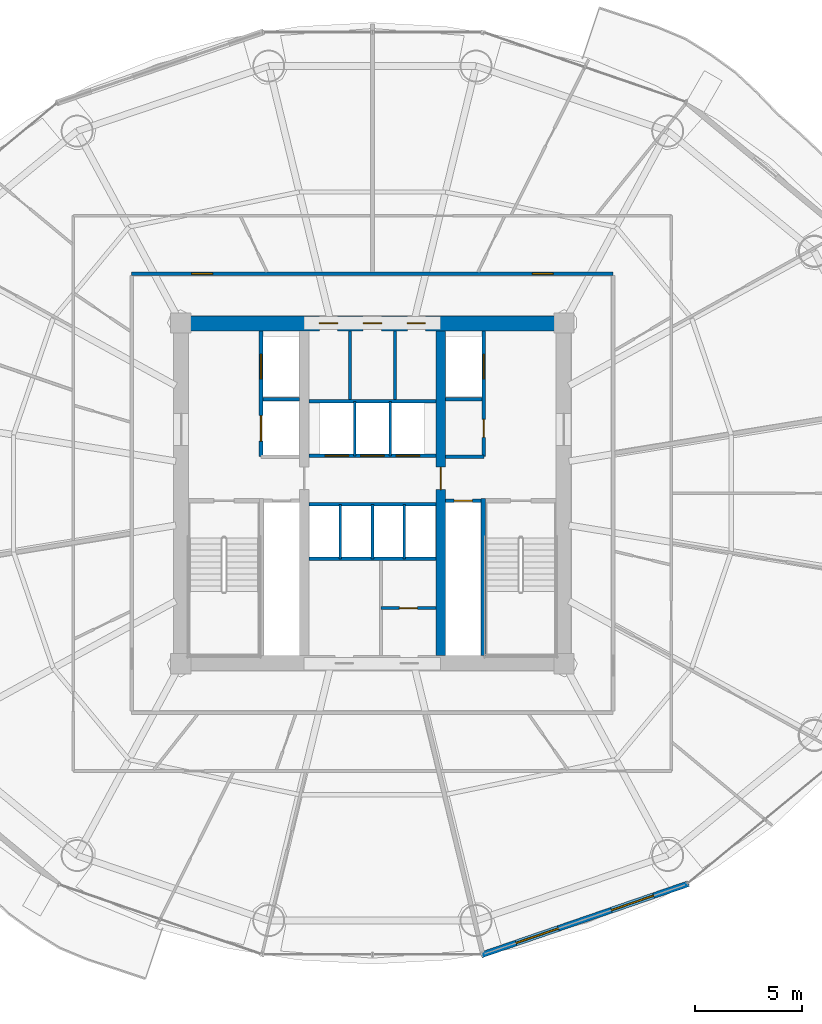
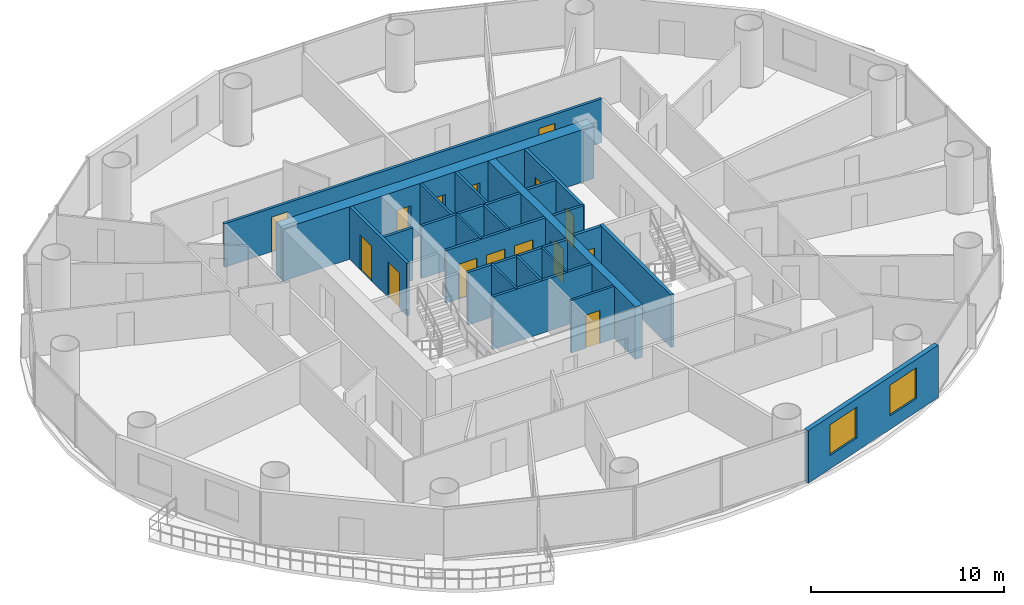
# One storey, part 23 of 29: 23 walls, 15 doors, 2 windows, 17 openings.
"""IFC4 building model written with IfcOpenShell, lengths in metres."""

from ifc_helpers import new_model, si_unit, direction, frame, frame_2d, origin, place, context, subcontext, project, spatial, rectangle, extrude, source, transform, mapped, material, layer, layer_set, type_object, element, fill, save


model = new_model("IFC4")

# Units and contexts
model_context = context("Model", 3, precision=1e-05, world=origin(), true_north=direction((-0.2419218956, 0.970295726276)))
body_context = subcontext(model_context, "Body", "Model", "MODEL_VIEW")
ifc_project = project(units=[si_unit("LENGTHUNIT", "METRE"), si_unit("AREAUNIT", "SQUARE_METRE"), si_unit("VOLUMEUNIT", "CUBIC_METRE"), si_unit("PLANEANGLEUNIT", "RADIAN"), si_unit("MASSUNIT", "GRAM", prefix="KILO")], contexts=[model_context])

# Site, building, storey
site_placement = place(None, origin())
site = spatial("IfcSite", under=ifc_project, at=site_placement, CompositionType="ELEMENT")
building_placement = place(site_placement, origin())
building = spatial("IfcBuilding", under=site, at=building_placement, Name="Cobrevalo Terracotta Tower", CompositionType="ELEMENT")
storey_placement = place(building_placement, frame((0.0, 0.0, 87.0)))
storey = spatial("IfcBuildingStorey", under=building, at=storey_placement, Name="L22", CompositionType="ELEMENT", Elevation=87.0)

# Wall, openings, doors
ifc_material_1 = material(Name="Concrete C60", Category="concrete")
ifc_layer_1 = layer(ifc_material_1, 0.699951171875)
ifc_layer_set_1 = layer_set([ifc_layer_1], Name="Concrete C60")
wall_type_1 = type_object("IfcWallType", Name="Core shear wall 700 mm Concrete C60", PredefinedType="SHEAR", material=ifc_layer_set_1)
wall_1_placement = place(storey_placement, frame((28.675048828125, 34.77490234375, 0.0), z_axis=(0.0, 0.0, 1.0), x_axis=(1.0, 0.0, 0.0)))
wall_1 = element("IfcWall", 1, at=wall_1_placement, inside=storey, type_object=wall_type_1, Name="L22 north core shear wall", PredefinedType="SHEAR", context=body_context, shape_type="SweptSolid", body=[
    extrude(rectangle(XDim=18.64990234375, YDim=0.699951171875, at=frame_2d((9.324951171875, 0.0))), origin(), (0.0, 0.0, 1.0), 3.324951171875),
])
opening_1_placement = place(wall_1_placement, frame((6.83740234375, 0.0, 0.0)))
opening_1 = element("IfcOpeningElement", 2, at=opening_1_placement, cuts=wall_1, Name="Opening ID-22", PredefinedType="OPENING", context=body_context, shape_type="SweptSolid", body=[
    extrude(rectangle(XDim=0.85009765625, YDim=2.10009765625, at=frame_2d((0.425048828125, 1.050048828125))), frame((0.0, 0.35986328125, 0.0), z_axis=(0.0, -1.0, 0.0), x_axis=(1.0, 0.0, 0.0)), (0.0, 0.0, 1.0), 0.719970703125),
])
opening_2_placement = place(wall_1_placement, frame((8.89501953125, 0.0, 0.0)))
opening_2 = element("IfcOpeningElement", 3, at=opening_2_placement, cuts=wall_1, Name="Opening ID-07", PredefinedType="OPENING", context=body_context, shape_type="SweptSolid", body=[
    extrude(rectangle(XDim=0.860107421875, YDim=2.10009765625, at=frame_2d((0.43017578125, 1.050048828125))), frame((0.0, 0.35986328125, 0.0), z_axis=(0.0, -1.0, 0.0), x_axis=(1.0, 0.0, 0.0)), (0.0, 0.0, 1.0), 0.719970703125),
])
opening_3_placement = place(wall_1_placement, frame((10.96240234375, 0.0, 0.0)))
opening_3 = element("IfcOpeningElement", 4, at=opening_3_placement, cuts=wall_1, Name="Opening ID-22", PredefinedType="OPENING", context=body_context, shape_type="SweptSolid", body=[
    extrude(rectangle(XDim=0.85009765625, YDim=2.10009765625, at=frame_2d((0.425048828125, 1.050048828125))), frame((0.0, 0.35986328125, 0.0), z_axis=(0.0, -1.0, 0.0), x_axis=(1.0, 0.0, 0.0)), (0.0, 0.0, 1.0), 0.719970703125),
])
ifc_material_2 = material(Name="Powder-coated steel", Category="steel")
door_type_1 = type_object("IfcDoorType", Name="Riser shaft & meter closet fire access door 850x2100 EI 60", OperationType="NOTDEFINED", PredefinedType="DOOR", material=ifc_material_2)
shared_shape_1 = source(origin(), body_context, "Body", "SweptSolid", [
    extrude(rectangle(XDim=0.85009765625, YDim=2.10009765625, at=frame_2d((0.425048828125, 1.050048828125))), frame((0.0, 0.02490234375, 0.0), z_axis=(0.0, -1.0, 0.0), x_axis=(1.0, 0.0, 0.0)), (0.0, 0.0, 1.0), 0.050048828125),
])
door_1_placement = place(opening_1_placement, frame((0.85009765625, 0.0, 0.0), z_axis=(0.0, 0.0, 1.0), x_axis=(-1.0, 0.0, 0.0)))
door_1 = element("IfcDoor", 5, at=door_1_placement, inside=storey, type_object=door_type_1, Name="L22 core north service door Housekeeping Linen Store", OperationType="SINGLE_SWING_LEFT", OverallHeight=2.10009765625, OverallWidth=0.85009765625, PredefinedType="DOOR", context=body_context, shape_type="MappedRepresentation", body=[
    mapped(shared_shape_1, transform((0.0, 0.0, 0.0), scale=1.0)),
])
fill(opening_1, door_1)
door_2_placement = place(opening_3_placement, frame((0.85009765625, 0.0, 0.0), z_axis=(0.0, 0.0, 1.0), x_axis=(-1.0, 0.0, 0.0)))
door_2 = element("IfcDoor", 6, at=door_2_placement, inside=storey, type_object=door_type_1, Name="L22 core north service door Floor BMS Mechanical Plant", OperationType="SINGLE_SWING_LEFT", OverallHeight=2.10009765625, OverallWidth=0.85009765625, PredefinedType="DOOR", context=body_context, shape_type="MappedRepresentation", body=[
    mapped(shared_shape_1, transform((0.0, 0.0, 0.0), scale=1.0)),
])
fill(opening_3, door_2)
ifc_material_3 = material(Name="Fire-rated moisture-sealed timber", Category="wood")
door_type_2 = type_object("IfcDoorType", Name="Core & podium fire-rated accessible WC door 860x2100 EI 60", OperationType="NOTDEFINED", PredefinedType="DOOR", material=ifc_material_3)
shared_shape_2 = source(origin(), body_context, "Body", "SweptSolid", [
    extrude(rectangle(XDim=0.860107421875, YDim=2.10009765625, at=frame_2d((0.43017578125, 1.050048828125))), frame((0.0, 0.02490234375, 0.0), z_axis=(0.0, -1.0, 0.0), x_axis=(1.0, 0.0, 0.0)), (0.0, 0.0, 1.0), 0.050048828125),
])
door_3_placement = place(opening_2_placement, frame((0.860107421875, 0.0, 0.0), z_axis=(0.0, 0.0, 1.0), x_axis=(-1.0, 0.0, 0.0)))
door_3 = element("IfcDoor", 7, at=door_3_placement, inside=storey, type_object=door_type_2, Name="L22 core north service door Floor Service Toilet WC", OperationType="SINGLE_SWING_RIGHT", OverallHeight=2.10009765625, OverallWidth=0.860107421875, PredefinedType="DOOR", context=body_context, shape_type="MappedRepresentation", body=[
    mapped(shared_shape_2, transform((0.0, 0.0, 0.0), scale=1.0)),
])
fill(opening_2, door_3)

# Walls
ifc_material_4 = material(Name="Gypsum board on steel stud", Category="steel")
ifc_layer_2 = layer(ifc_material_4, 0.159912109375)
ifc_layer_set_2 = layer_set([ifc_layer_2], Name="Gypsum board on steel stud")
wall_type_2 = type_object("IfcWallType", Name="Fire-rated corridor acoustic partition wall 160 mm", PredefinedType="PARTITIONING", material=ifc_layer_set_2)
for number, where, z_axis, x_axis, name in (
    (8, (32.860107421875, 31.219970703125, 0.0), (0.0, 0.0, 1.0), (1.0, 0.0, 0.0), "L22 interior partition IW-L22-FF1-M"),
    (9, (41.425048828125, 31.219970703125, 0.0), (0.0, 0.0, 1.0), (1.0, 0.0, 0.0), "L22 interior partition IW-L22-FF2-M"),
):
    element("IfcWall", number, at=place(storey_placement, frame(where, z_axis=z_axis, x_axis=x_axis)), inside=storey, type_object=wall_type_2, Name=name, PredefinedType="PARTITIONING", context=body_context, shape_type="SweptSolid", body=[
        extrude(rectangle(XDim=1.71484375, YDim=0.159912109375, at=frame_2d((0.857421875, 0.0))), origin(), (0.0, 0.0, 1.0), 3.324951171875),
    ])
wall_2_placement = place(storey_placement, frame((41.425048828125, 28.52001953125, 0.0), z_axis=(0.0, 0.0, 1.0), x_axis=(1.0, 0.0, 0.0)))
element("IfcWall", 10, at=wall_2_placement, inside=storey, type_object=wall_type_2, Name="L22 interior partition IW-L22-FF2-S", PredefinedType="PARTITIONING", context=body_context, shape_type="SweptSolid", body=[
    extrude(rectangle(XDim=1.804931640625, YDim=0.159912109375, at=frame_2d((0.90234375, 0.0))), origin(), (0.0, 0.0, 1.0), 3.324951171875),
])

# Wall, openings, doors
wall_3_placement = place(storey_placement, frame((35.02490234375, 28.56005859375, 0.0), z_axis=(0.0, 0.0, 1.0), x_axis=(1.0, 0.0, 0.0)))
wall_3 = element("IfcWall", 11, at=wall_3_placement, inside=storey, type_object=wall_type_2, Name="L22 interior partition IW-L22-LB-S", PredefinedType="PARTITIONING", context=body_context, shape_type="SweptSolid", body=[
    extrude(rectangle(XDim=5.9501953125, YDim=0.159912109375, at=frame_2d((2.97509765625, 0.0))), origin(), (0.0, 0.0, 1.0), 3.324951171875),
])
opening_4_placement = place(wall_3_placement, frame((0.760009765625, 0.0, 0.0)))
opening_4 = element("IfcOpeningElement", 12, at=opening_4_placement, cuts=wall_3, Name="Opening LD-01", PredefinedType="OPENING", context=body_context, shape_type="SweptSolid", body=[
    extrude(rectangle(XDim=1.10009765625, YDim=2.199951171875, at=frame_2d((0.550048828125, 1.10009765625))), frame((0.0, 0.08984375, 0.0), z_axis=(0.0, -1.0, 0.0), x_axis=(1.0, 0.0, 0.0)), (0.0, 0.0, 1.0), 0.179931640625),
])
opening_5_placement = place(wall_3_placement, frame((2.425048828125, 0.0, 0.0)))
opening_5 = element("IfcOpeningElement", 13, at=opening_5_placement, cuts=wall_3, Name="Opening LD-01", PredefinedType="OPENING", context=body_context, shape_type="SweptSolid", body=[
    extrude(rectangle(XDim=1.10009765625, YDim=2.199951171875, at=frame_2d((0.550048828125, 1.10009765625))), frame((0.0, 0.08984375, 0.0), z_axis=(0.0, -1.0, 0.0), x_axis=(1.0, 0.0, 0.0)), (0.0, 0.0, 1.0), 0.179931640625),
])
opening_6_placement = place(wall_3_placement, frame((4.090087890625, 0.0, 0.0)))
opening_6 = element("IfcOpeningElement", 14, at=opening_6_placement, cuts=wall_3, Name="Opening LD-01", PredefinedType="OPENING", context=body_context, shape_type="SweptSolid", body=[
    extrude(rectangle(XDim=1.10009765625, YDim=2.199951171875, at=frame_2d((0.550048828125, 1.10009765625))), frame((0.0, 0.08984375, 0.0), z_axis=(0.0, -1.0, 0.0), x_axis=(1.0, 0.0, 0.0)), (0.0, 0.0, 1.0), 0.179931640625),
])
ifc_material_5 = material(Name="Brushed stainless steel", Category="steel")
door_type_3 = type_object("IfcDoorType", Name="Passenger lift landing bi-parting sliding door 1100x2200 EI 90", OperationType="DOUBLE_DOOR_SLIDING", PredefinedType="DOOR", material=ifc_material_5)
shared_shape_3 = source(origin(), body_context, "Body", "SweptSolid", [
    extrude(rectangle(XDim=1.10009765625, YDim=2.199951171875, at=frame_2d((0.550048828125, 1.10009765625))), frame((0.0, 0.02490234375, 0.0), z_axis=(0.0, -1.0, 0.0), x_axis=(1.0, 0.0, 0.0)), (0.0, 0.0, 1.0), 0.050048828125),
])
door_4_placement = place(opening_4_placement, origin())
door_4 = element("IfcDoor", 15, at=door_4_placement, inside=storey, type_object=door_type_3, Name="L22 lift landing door PL-L1", OperationType="DOUBLE_DOOR_SLIDING", OverallHeight=2.199951171875, OverallWidth=1.10009765625, PredefinedType="DOOR", context=body_context, shape_type="MappedRepresentation", body=[
    mapped(shared_shape_3, transform((0.0, 0.0, 0.0), scale=1.0)),
])
fill(opening_4, door_4)
door_5_placement = place(opening_5_placement, origin())
door_5 = element("IfcDoor", 16, at=door_5_placement, inside=storey, type_object=door_type_3, Name="L22 lift landing door PL-L2", OperationType="DOUBLE_DOOR_SLIDING", OverallHeight=2.199951171875, OverallWidth=1.10009765625, PredefinedType="DOOR", context=body_context, shape_type="MappedRepresentation", body=[
    mapped(shared_shape_3, transform((0.0, 0.0, 0.0), scale=1.0)),
])
fill(opening_5, door_5)
door_6_placement = place(opening_6_placement, origin())
door_6 = element("IfcDoor", 17, at=door_6_placement, inside=storey, type_object=door_type_3, Name="L22 lift landing door PL-L3", OperationType="DOUBLE_DOOR_SLIDING", OverallHeight=2.199951171875, OverallWidth=1.10009765625, PredefinedType="DOOR", context=body_context, shape_type="MappedRepresentation", body=[
    mapped(shared_shape_3, transform((0.0, 0.0, 0.0), scale=1.0)),
])
fill(opening_6, door_6)

# Walls
for number, where, z_axis, x_axis, name in (
    (18, (35.02490234375, 31.1201171875, 0.0), (0.0, 0.0, 1.0), (1.0, 0.0, 0.0), "L22 interior partition IW-L22-LB-N"),
    (19, (35.02490234375, 26.280029296875, 0.0), (0.0, 0.0, 1.0), (1.0, 0.0, 0.0), "L22 interior partition IW-L22-MB-N"),
    (20, (35.02490234375, 23.719970703125, 0.0), (0.0, 0.0, 1.0), (1.0, 0.0, 0.0), "L22 interior partition IW-L22-MB-S"),
):
    element("IfcWall", number, at=place(storey_placement, frame(where, z_axis=z_axis, x_axis=x_axis)), inside=storey, type_object=wall_type_2, Name=name, PredefinedType="PARTITIONING", context=body_context, shape_type="SweptSolid", body=[
        extrude(rectangle(XDim=5.9501953125, YDim=0.159912109375, at=frame_2d((2.97509765625, 0.0))), origin(), (0.0, 0.0, 1.0), 3.324951171875),
    ])

# Wall, openings, doors
wall_4_placement = place(storey_placement, frame((26.695068359375, 37.10498046875, 0.0), z_axis=(0.0, 0.0, 1.0), x_axis=(1.0, 0.0, 0.0)))
wall_4 = element("IfcWall", 21, at=wall_4_placement, inside=storey, type_object=wall_type_2, Name="L22 interior partition IW-L22-COR-N", PredefinedType="PARTITIONING", context=body_context, shape_type="SweptSolid", body=[
    extrude(rectangle(XDim=22.60986328125, YDim=0.159912109375, at=frame_2d((11.304931640625, 0.0))), origin(), (0.0, 0.0, 1.0), 2.76708984375),
])
opening_7_placement = place(wall_4_placement, frame((18.8115234375, 0.0, 0.0)))
opening_7 = element("IfcOpeningElement", 22, at=opening_7_placement, cuts=wall_4, Name="Opening ID-05", PredefinedType="OPENING", context=body_context, shape_type="SweptSolid", body=[
    extrude(rectangle(XDim=0.97998046875, YDim=2.199951171875, at=frame_2d((0.489990234375, 1.10009765625))), frame((0.0, 0.08984375, 0.0), z_axis=(0.0, -1.0, 0.0), x_axis=(1.0, 0.0, 0.0)), (0.0, 0.0, 1.0), 0.179931640625),
])
opening_8_placement = place(wall_4_placement, frame((2.8232421875, 0.0, 0.0)))
opening_8 = element("IfcOpeningElement", 23, at=opening_8_placement, cuts=wall_4, Name="Opening ID-05", PredefinedType="OPENING", context=body_context, shape_type="SweptSolid", body=[
    extrude(rectangle(XDim=0.97998046875, YDim=2.199951171875, at=frame_2d((0.489990234375, 1.10009765625))), frame((0.0, 0.08984375, 0.0), z_axis=(0.0, -1.0, 0.0), x_axis=(1.0, 0.0, 0.0)), (0.0, 0.0, 1.0), 0.179931640625),
])
ifc_material_6 = material(Name="Solid hardwood timber", Category="wood")
door_type_4 = type_object("IfcDoorType", Name="Residence entrance fire-rated acoustic timber door 980x2200 EI 60", OperationType="NOTDEFINED", PredefinedType="DOOR", material=ifc_material_6)
shared_shape_4 = source(origin(), body_context, "Body", "SweptSolid", [
    extrude(rectangle(XDim=0.97998046875, YDim=2.199951171875, at=frame_2d((0.489990234375, 1.10009765625))), frame((0.0, 0.02490234375, 0.0), z_axis=(0.0, -1.0, 0.0), x_axis=(1.0, 0.0, 0.0)), (0.0, 0.0, 1.0), 0.050048828125),
])
door_7_placement = place(opening_7_placement, frame((0.97998046875, 0.0, 0.0), z_axis=(0.0, 0.0, 1.0), x_axis=(-1.0, 0.0, 0.0)))
door_7 = element("IfcDoor", 24, at=door_7_placement, inside=storey, type_object=door_type_4, Name="Flat L22A fire-rated apartment entrance door", OperationType="SINGLE_SWING_RIGHT", OverallHeight=2.199951171875, OverallWidth=0.97998046875, PredefinedType="DOOR", context=body_context, shape_type="MappedRepresentation", body=[
    mapped(shared_shape_4, transform((0.0, 0.0, 0.0), scale=1.0)),
])
fill(opening_7, door_7)
door_8_placement = place(opening_8_placement, frame((0.97998046875, 0.0, 0.0), z_axis=(0.0, 0.0, 1.0), x_axis=(-1.0, 0.0, 0.0)))
door_8 = element("IfcDoor", 25, at=door_8_placement, inside=storey, type_object=door_type_4, Name="Flat L22B fire-rated apartment entrance door", OperationType="SINGLE_SWING_LEFT", OverallHeight=2.199951171875, OverallWidth=0.97998046875, PredefinedType="DOOR", context=body_context, shape_type="MappedRepresentation", body=[
    mapped(shared_shape_4, transform((0.0, 0.0, 0.0), scale=1.0)),
])
fill(opening_8, door_8)

# Wall, opening, door
ifc_layer_3 = layer(ifc_material_4, 0.179931640625)
ifc_layer_set_3 = layer_set([ifc_layer_3], Name="Gypsum board on steel stud")
wall_type_3 = type_object("IfcWallType", Name="Fire-rated shaft & lobby acoustic partition wall 180 mm", PredefinedType="PARTITIONING", material=ifc_layer_set_3)
wall_5_placement = place(storey_placement, frame((41.425048828125, 26.449951171875, 0.0), z_axis=(0.0, 0.0, 1.0), x_axis=(1.0, 0.0, 0.0)))
wall_5 = element("IfcWall", 26, at=wall_5_placement, inside=storey, type_object=wall_type_3, Name="L22 interior partition IW-L22-RSE-N", PredefinedType="PARTITIONING", context=body_context, shape_type="SweptSolid", body=[
    extrude(rectangle(XDim=1.675048828125, YDim=0.179931640625, at=frame_2d((0.83740234375, 0.0))), origin(), (0.0, 0.0, 1.0), 3.324951171875),
])
opening_9_placement = place(wall_5_placement, frame((0.41259765625, 0.0, 0.0)))
opening_9 = element("IfcOpeningElement", 27, at=opening_9_placement, cuts=wall_5, Name="Opening ID-22", PredefinedType="OPENING", context=body_context, shape_type="SweptSolid", body=[
    extrude(rectangle(XDim=0.85009765625, YDim=2.10009765625, at=frame_2d((0.425048828125, 1.050048828125))), frame((0.0, 0.10009765625, 0.0), z_axis=(0.0, -1.0, 0.0), x_axis=(1.0, 0.0, 0.0)), (0.0, 0.0, 1.0), 0.199951171875),
])
door_9_placement = place(opening_9_placement, origin())
door_9 = element("IfcDoor", 28, at=door_9_placement, inside=storey, type_object=door_type_1, Name="L22 riser access door RSE", OperationType="SINGLE_SWING_RIGHT", OverallHeight=2.10009765625, OverallWidth=0.85009765625, PredefinedType="DOOR", context=body_context, shape_type="MappedRepresentation", body=[
    mapped(shared_shape_1, transform((0.0, 0.0, 0.0), scale=1.0)),
])
fill(opening_9, door_9)

# Wall, openings, doors
wall_6_placement = place(storey_placement, frame((32.77001953125, 28.52001953125, 0.0), z_axis=(0.0, 0.0, 1.0), x_axis=(0.0, 1.0, 0.0)))
wall_6 = element("IfcWall", 29, at=wall_6_placement, inside=storey, type_object=wall_type_3, Name="L22 interior partition IW-L22-FF1-W", PredefinedType="PARTITIONING", context=body_context, shape_type="SweptSolid", body=[
    extrude(rectangle(XDim=5.905029296875, YDim=0.179931640625, at=frame_2d((2.95263671875, 0.0))), origin(), (0.0, 0.0, 1.0), 3.324951171875),
])
opening_10_placement = place(wall_6_placement, frame((3.655029296875, 0.0, 0.0)))
opening_10 = element("IfcOpeningElement", 30, at=opening_10_placement, cuts=wall_6, Name="Opening LD-02", PredefinedType="OPENING", context=body_context, shape_type="SweptSolid", body=[
    extrude(rectangle(XDim=1.14990234375, YDim=2.199951171875, at=frame_2d((0.574951171875, 1.10009765625))), frame((0.0, 0.10009765625, 0.0), z_axis=(0.0, -1.0, 0.0), x_axis=(1.0, 0.0, 0.0)), (0.0, 0.0, 1.0), 0.199951171875),
])
opening_11_placement = place(wall_6_placement, frame((0.72998046875, 0.0, 0.0)))
opening_11 = element("IfcOpeningElement", 31, at=opening_11_placement, cuts=wall_6, Name="Opening LD-03", PredefinedType="OPENING", context=body_context, shape_type="SweptSolid", body=[
    extrude(rectangle(XDim=1.199951171875, YDim=2.25, at=frame_2d((0.60009765625, 1.125))), frame((0.0, 0.10009765625, 0.0), z_axis=(0.0, -1.0, 0.0), x_axis=(1.0, 0.0, 0.0)), (0.0, 0.0, 1.0), 0.199951171875),
])
door_type_5 = type_object("IfcDoorType", Name="Firefighting lift landing bi-parting sliding door 1150x2200 EI 120", OperationType="DOUBLE_DOOR_SLIDING", PredefinedType="DOOR", material=ifc_material_5)
shared_shape_5 = source(origin(), body_context, "Body", "SweptSolid", [
    extrude(rectangle(XDim=1.14990234375, YDim=2.199951171875, at=frame_2d((0.574951171875, 1.10009765625))), frame((0.0, 0.02490234375, 0.0), z_axis=(0.0, -1.0, 0.0), x_axis=(1.0, 0.0, 0.0)), (0.0, 0.0, 1.0), 0.050048828125),
])
door_10_placement = place(opening_10_placement, origin())
door_10 = element("IfcDoor", 32, at=door_10_placement, inside=storey, type_object=door_type_5, Name="L22 lift landing door FF-1", OperationType="DOUBLE_DOOR_SLIDING", OverallHeight=2.199951171875, OverallWidth=1.14990234375, PredefinedType="DOOR", context=body_context, shape_type="MappedRepresentation", body=[
    mapped(shared_shape_5, transform((0.0, 0.0, 0.0), scale=1.0)),
])
fill(opening_10, door_10)
door_type_6 = type_object("IfcDoorType", Name="Service lift landing bi-parting sliding door 1200x2250 EI 120", OperationType="DOUBLE_DOOR_SLIDING", PredefinedType="DOOR", material=ifc_material_5)
shared_shape_6 = source(origin(), body_context, "Body", "SweptSolid", [
    extrude(rectangle(XDim=1.199951171875, YDim=2.25, at=frame_2d((0.60009765625, 1.125))), frame((0.0, 0.02490234375, 0.0), z_axis=(0.0, -1.0, 0.0), x_axis=(1.0, 0.0, 0.0)), (0.0, 0.0, 1.0), 0.050048828125),
])
door_11_placement = place(opening_11_placement, origin())
door_11 = element("IfcDoor", 33, at=door_11_placement, inside=storey, type_object=door_type_6, Name="L22 lift landing door SV-1", OperationType="DOUBLE_DOOR_SLIDING", OverallHeight=2.25, OverallWidth=1.199951171875, PredefinedType="DOOR", context=body_context, shape_type="MappedRepresentation", body=[
    mapped(shared_shape_6, transform((0.0, 0.0, 0.0), scale=1.0)),
])
fill(opening_11, door_11)

wall_7_placement = place(storey_placement, frame((43.22998046875, 28.52001953125, 0.0), z_axis=(0.0, 0.0, 1.0), x_axis=(0.0, 1.0, 0.0)))
wall_7 = element("IfcWall", 34, at=wall_7_placement, inside=storey, type_object=wall_type_3, Name="L22 interior partition IW-L22-FF2-E", PredefinedType="PARTITIONING", context=body_context, shape_type="SweptSolid", body=[
    extrude(rectangle(XDim=5.905029296875, YDim=0.179931640625, at=frame_2d((2.95263671875, 0.0))), origin(), (0.0, 0.0, 1.0), 3.324951171875),
])
opening_12_placement = place(wall_7_placement, frame((0.905029296875, 0.0, 0.0)))
opening_12 = element("IfcOpeningElement", 35, at=opening_12_placement, cuts=wall_7, Name="Opening ID-22", PredefinedType="OPENING", context=body_context, shape_type="SweptSolid", body=[
    extrude(rectangle(XDim=0.85009765625, YDim=2.10009765625, at=frame_2d((0.425048828125, 1.050048828125))), frame((0.0, 0.10009765625, 0.0), z_axis=(0.0, -1.0, 0.0), x_axis=(1.0, 0.0, 0.0)), (0.0, 0.0, 1.0), 0.199951171875),
])
opening_13_placement = place(wall_7_placement, frame((3.655029296875, 0.0, 0.0)))
opening_13 = element("IfcOpeningElement", 36, at=opening_13_placement, cuts=wall_7, Name="Opening LD-02", PredefinedType="OPENING", context=body_context, shape_type="SweptSolid", body=[
    extrude(rectangle(XDim=1.14990234375, YDim=2.199951171875, at=frame_2d((0.574951171875, 1.10009765625))), frame((0.0, 0.10009765625, 0.0), z_axis=(0.0, -1.0, 0.0), x_axis=(1.0, 0.0, 0.0)), (0.0, 0.0, 1.0), 0.199951171875),
])
door_12_placement = place(opening_12_placement, frame((0.85009765625, 0.0, 0.0), z_axis=(0.0, 0.0, 1.0), x_axis=(-1.0, 0.0, 0.0)))
door_12 = element("IfcDoor", 37, at=door_12_placement, inside=storey, type_object=door_type_1, Name="L22 housekeeping store door", OperationType="SINGLE_SWING_RIGHT", OverallHeight=2.10009765625, OverallWidth=0.85009765625, PredefinedType="DOOR", context=body_context, shape_type="MappedRepresentation", body=[
    mapped(shared_shape_1, transform((0.0, 0.0, 0.0), scale=1.0)),
])
fill(opening_12, door_12)
door_13_placement = place(opening_13_placement, origin())
door_13 = element("IfcDoor", 38, at=door_13_placement, inside=storey, type_object=door_type_5, Name="L22 lift landing door FF-2", OperationType="DOUBLE_DOOR_SLIDING", OverallHeight=2.199951171875, OverallWidth=1.14990234375, PredefinedType="DOOR", context=body_context, shape_type="MappedRepresentation", body=[
    mapped(shared_shape_5, transform((0.0, 0.0, 0.0), scale=1.0)),
])
fill(opening_13, door_13)

# Walls
ifc_material_7 = material(Name="Autoclaved aerated concrete block", Category="concrete")
ifc_layer_4 = layer(ifc_material_7, 0.1201171875)
ifc_layer_set_4 = layer_set([ifc_layer_4], Name="Autoclaved aerated concrete block")
wall_type_4 = type_object("IfcWallType", Name="Fire-rated wet-room & core service partition 120 mm", PredefinedType="PARTITIONING", material=ifc_layer_set_4)
for number, where, z_axis, x_axis, name in (
    (39, (37.169921875, 28.56005859375, 0.0), (0.0, 0.0, 1.0), (0.0, 1.0, 0.0), "L22 interior partition IW-L22-LB-D1"),
    (40, (38.830078125, 28.56005859375, 0.0), (0.0, 0.0, 1.0), (0.0, 1.0, 0.0), "L22 interior partition IW-L22-LB-D2"),
    (41, (36.5, 23.719970703125, 0.0), (0.0, 0.0, 1.0), (0.0, 1.0, 0.0), "L22 interior partition IW-L22-MB-D1"),
    (42, (39.5, 23.719970703125, 0.0), (0.0, 0.0, 1.0), (0.0, 1.0, 0.0), "L22 interior partition IW-L22-MB-D3"),
):
    element("IfcWall", number, at=place(storey_placement, frame(where, z_axis=z_axis, x_axis=x_axis)), inside=storey, type_object=wall_type_4, Name=name, PredefinedType="PARTITIONING", context=body_context, shape_type="SweptSolid", body=[
        extrude(rectangle(XDim=2.56005859375, YDim=0.1201171875, at=frame_2d((1.280029296875, 0.0))), origin(), (0.0, 0.0, 1.0), 3.324951171875),
    ])

# Wall, openings, windows
ifc_layer_5 = layer(ifc_material_7, 0.280029296875)
ifc_layer_set_5 = layer_set([ifc_layer_5], Name="Autoclaved aerated concrete block")
wall_type_5 = type_object("IfcWallType", Name="Insulated tower spandrel & pier wall 280 mm with terracotta rainscreen", PredefinedType="SOLIDWALL", material=ifc_layer_set_5)
wall_8_placement = place(storey_placement, frame((43.10791015625, 5.1279296875, 0.0), z_axis=(0.0, 0.0, 1.0), x_axis=(0.945590132341, 0.325360264351, 0.0)))
wall_8 = element("IfcWall", 43, at=wall_8_placement, inside=storey, type_object=wall_type_5, Name="L22 terracotta rainscreen pier wall S13", PredefinedType="SOLIDWALL", context=body_context, shape_type="SweptSolid", body=[
    extrude(rectangle(XDim=10.2890625, YDim=0.280029296875, at=frame_2d((5.14453125, 0.0))), origin(), (0.0, 0.0, 1.0), 3.324951171875),
])
opening_14_placement = place(wall_8_placement, frame((1.72802734375, 0.0, 0.85009765625)))
opening_14 = element("IfcOpeningElement", 44, at=opening_14_placement, cuts=wall_8, Name="Opening WN-10", PredefinedType="OPENING", context=body_context, shape_type="SweptSolid", body=[
    extrude(rectangle(XDim=2.10009765625, YDim=1.949951171875, at=frame_2d((1.050048828125, 0.97509765625))), frame((0.0, 0.14990234375, 0.0), z_axis=(0.0, -1.0, 0.0), x_axis=(1.0, 0.0, 0.0)), (0.0, 0.0, 1.0), 0.300048828125),
])
opening_15_placement = place(wall_8_placement, frame((6.4609375, 0.0, 0.85009765625)))
opening_15 = element("IfcOpeningElement", 45, at=opening_15_placement, cuts=wall_8, Name="Opening WN-10", PredefinedType="OPENING", context=body_context, shape_type="SweptSolid", body=[
    extrude(rectangle(XDim=2.10009765625, YDim=1.949951171875, at=frame_2d((1.050048828125, 0.97509765625))), frame((0.0, 0.14990234375, 0.0), z_axis=(0.0, -1.0, 0.0), x_axis=(1.0, 0.0, 0.0)), (0.0, 0.0, 1.0), 0.300048828125),
])
ifc_material_8 = material(Name="Solar-control low-E double glazing", Category="glass")
window_type = type_object("IfcWindowType", Name="Wide panoramic low-E aluminium window 2100x1950", PartitioningType="SINGLE_PANEL", PredefinedType="WINDOW", material=ifc_material_8)
shared_shape_7 = source(origin(), body_context, "Body", "SweptSolid", [
    extrude(rectangle(XDim=2.10009765625, YDim=1.949951171875, at=frame_2d((1.050048828125, 0.97509765625))), frame((0.0, 0.030029296875, 0.0), z_axis=(0.0, -1.0, 0.0), x_axis=(1.0, 0.0, 0.0)), (0.0, 0.0, 1.0), 0.06005859375),
])
window_1_placement = place(opening_14_placement, origin())
window_1 = element("IfcWindow", 46, at=window_1_placement, inside=storey, type_object=window_type, Name="L22 suite window S13A", OverallHeight=1.949951171875, OverallWidth=2.10009765625, PartitioningType="SINGLE_PANEL", PredefinedType="WINDOW", context=body_context, shape_type="MappedRepresentation", body=[
    mapped(shared_shape_7, transform((0.0, 0.0, 0.0), scale=1.0)),
])
fill(opening_14, window_1)
window_2_placement = place(opening_15_placement, origin())
window_2 = element("IfcWindow", 47, at=window_2_placement, inside=storey, type_object=window_type, Name="L22 suite window S13B", OverallHeight=1.949951171875, OverallWidth=2.10009765625, PartitioningType="SINGLE_PANEL", PredefinedType="WINDOW", context=body_context, shape_type="MappedRepresentation", body=[
    mapped(shared_shape_7, transform((0.0, 0.0, 0.0), scale=1.0)),
])
fill(opening_15, window_2)

# Wall, opening, door
ifc_material_9 = material(Name="Concrete C55", Category="concrete")
ifc_layer_6 = layer(ifc_material_9, 0.449951171875)
ifc_layer_set_6 = layer_set([ifc_layer_6], Name="Concrete C55")
wall_type_6 = type_object("IfcWallType", Name="Internal core shear web wall 450 mm Concrete C55", PredefinedType="SHEAR", material=ifc_layer_set_6)
wall_9_placement = place(storey_placement, frame((41.199951171875, 19.175048828125, 0.0), z_axis=(0.0, 0.0, 1.0), x_axis=(0.0, 1.0, 0.0)))
wall_9 = element("IfcWall", 48, at=wall_9_placement, inside=storey, type_object=wall_type_6, Name="L22 internal core shear wall WEB-E", PredefinedType="SHEAR", context=body_context, shape_type="SweptSolid", body=[
    extrude(rectangle(XDim=15.25, YDim=0.449951171875, at=frame_2d((7.625, 0.0))), origin(), (0.0, 0.0, 1.0), 3.324951171875),
])
opening_16_placement = place(wall_9_placement, frame((7.800048828125, 0.0, 0.0)))
opening_16 = element("IfcOpeningElement", 49, at=opening_16_placement, cuts=wall_9, Name="Opening ID-11", PredefinedType="OPENING", context=body_context, shape_type="SweptSolid", body=[
    extrude(rectangle(XDim=1.050048828125, YDim=2.14990234375, at=frame_2d((0.52490234375, 1.074951171875))), frame((0.0, 0.23486328125, 0.0), z_axis=(0.0, -1.0, 0.0), x_axis=(1.0, 0.0, 0.0)), (0.0, 0.0, 1.0), 0.469970703125),
])
ifc_material_10 = material(Name="Galvanized fire-rated steel", Category="steel")
door_type_7 = type_object("IfcDoorType", Name="Core concourse cross fire door 1050x2150 EI 90", OperationType="NOTDEFINED", PredefinedType="DOOR", material=ifc_material_10)
shared_shape_8 = source(origin(), body_context, "Body", "SweptSolid", [
    extrude(rectangle(XDim=1.050048828125, YDim=2.14990234375, at=frame_2d((0.52490234375, 1.074951171875))), frame((0.0, 0.02490234375, 0.0), z_axis=(0.0, -1.0, 0.0), x_axis=(1.0, 0.0, 0.0)), (0.0, 0.0, 1.0), 0.050048828125),
])
door_14_placement = place(opening_16_placement, frame((1.050048828125, 0.0, 0.0), z_axis=(0.0, 0.0, 1.0), x_axis=(-1.0, 0.0, 0.0)))
door_14 = element("IfcDoor", 50, at=door_14_placement, inside=storey, type_object=door_type_7, Name="L22 east core concourse cross door", OperationType="SINGLE_SWING_RIGHT", OverallHeight=2.14990234375, OverallWidth=1.050048828125, PredefinedType="DOOR", context=body_context, shape_type="MappedRepresentation", body=[
    mapped(shared_shape_8, transform((0.0, 0.0, 0.0), scale=1.0)),
])
fill(opening_16, door_14)

# Walls
ifc_layer_7 = layer(ifc_material_7, 0.139892578125)
ifc_layer_set_7 = layer_set([ifc_layer_7], Name="Autoclaved aerated concrete block")
wall_type_7 = type_object("IfcWallType", Name="Moisture-resistant wet-room & core service partition 140 mm", PredefinedType="PARTITIONING", material=ifc_layer_set_7)
for number, where, z_axis, x_axis, name in (
    (51, (36.949951171875, 31.199951171875, 0.0), (0.0, 0.0, 1.0), (0.0, 1.0, 0.0), "L22 interior partition IW-L22-KVN-A"),
    (52, (39.050048828125, 31.199951171875, 0.0), (0.0, 0.0, 1.0), (0.0, 1.0, 0.0), "L22 interior partition IW-L22-KVN-B"),
):
    element("IfcWall", number, at=place(storey_placement, frame(where, z_axis=z_axis, x_axis=x_axis)), inside=storey, type_object=wall_type_7, Name=name, PredefinedType="PARTITIONING", context=body_context, shape_type="SweptSolid", body=[
        extrude(rectangle(XDim=3.22509765625, YDim=0.139892578125, at=frame_2d((1.612548828125, 0.0))), origin(), (0.0, 0.0, 1.0), 3.324951171875),
    ])
wall_10_placement = place(storey_placement, frame((38.0, 23.719970703125, 0.0), z_axis=(0.0, 0.0, 1.0), x_axis=(0.0, 1.0, 0.0)))
element("IfcWall", 53, at=wall_10_placement, inside=storey, type_object=wall_type_7, Name="L22 interior partition IW-L22-MB-D2", PredefinedType="PARTITIONING", context=body_context, shape_type="SweptSolid", body=[
    extrude(rectangle(XDim=2.56005859375, YDim=0.139892578125, at=frame_2d((1.280029296875, 0.0))), origin(), (0.0, 0.0, 1.0), 3.324951171875),
])

# Wall, opening, door
wall_11_placement = place(storey_placement, frame((38.39990234375, 21.407470703125, 0.0), z_axis=(0.0, 0.0, 1.0), x_axis=(1.0, 0.0, 0.0)))
wall_11 = element("IfcWall", 54, at=wall_11_placement, inside=storey, type_object=wall_type_7, Name="L22 interior partition IW-L22-KVS-L2", PredefinedType="PARTITIONING", context=body_context, shape_type="SweptSolid", body=[
    extrude(rectangle(XDim=2.5751953125, YDim=0.139892578125, at=frame_2d((1.28759765625, 0.0))), origin(), (0.0, 0.0, 1.0), 3.324951171875),
])
opening_17_placement = place(wall_11_placement, frame((0.862548828125, 0.0, 0.0)))
opening_17 = element("IfcOpeningElement", 55, at=opening_17_placement, cuts=wall_11, Name="Opening ID-22", PredefinedType="OPENING", context=body_context, shape_type="SweptSolid", body=[
    extrude(rectangle(XDim=0.85009765625, YDim=2.10009765625, at=frame_2d((0.425048828125, 1.050048828125))), frame((0.0, 0.080078125, 0.0), z_axis=(0.0, -1.0, 0.0), x_axis=(1.0, 0.0, 0.0)), (0.0, 0.0, 1.0), 0.159912109375),
])
door_15_placement = place(opening_17_placement, origin())
door_15 = element("IfcDoor", 56, at=door_15_placement, inside=storey, type_object=door_type_1, Name="L22 core KVS-L2 inner door", OperationType="SINGLE_SWING_LEFT", OverallHeight=2.10009765625, OverallWidth=0.85009765625, PredefinedType="DOOR", context=body_context, shape_type="MappedRepresentation", body=[
    mapped(shared_shape_1, transform((0.0, 0.0, 0.0), scale=1.0)),
])
fill(opening_17, door_15)

# Wall
ifc_material_11 = material(Name="Concrete C50", Category="concrete")
ifc_layer_8 = layer(ifc_material_11, 0.199951171875)
ifc_layer_set_8 = layer_set([ifc_layer_8], Name="Concrete C50")
wall_type_8 = type_object("IfcWallType", Name="Structural core & podium stair-shaft RC wall 200 mm Concrete C50", PredefinedType="SOLIDWALL", material=ifc_layer_set_8)
wall_12_placement = place(storey_placement, frame((43.205078125, 19.175048828125, 0.0), z_axis=(0.0, 0.0, 1.0), x_axis=(0.0, 1.0, 0.0)))
element("IfcWall", 57, at=wall_12_placement, inside=storey, type_object=wall_type_8, Name="L22 ST-2 west structural shaft wall", PredefinedType="SOLIDWALL", context=body_context, shape_type="SweptSolid", body=[
    extrude(rectangle(XDim=7.375, YDim=0.199951171875, at=frame_2d((3.6875, 0.0))), origin(), (0.0, 0.0, 1.0), 3.324951171875),
])

save(model, "model.ifc")
